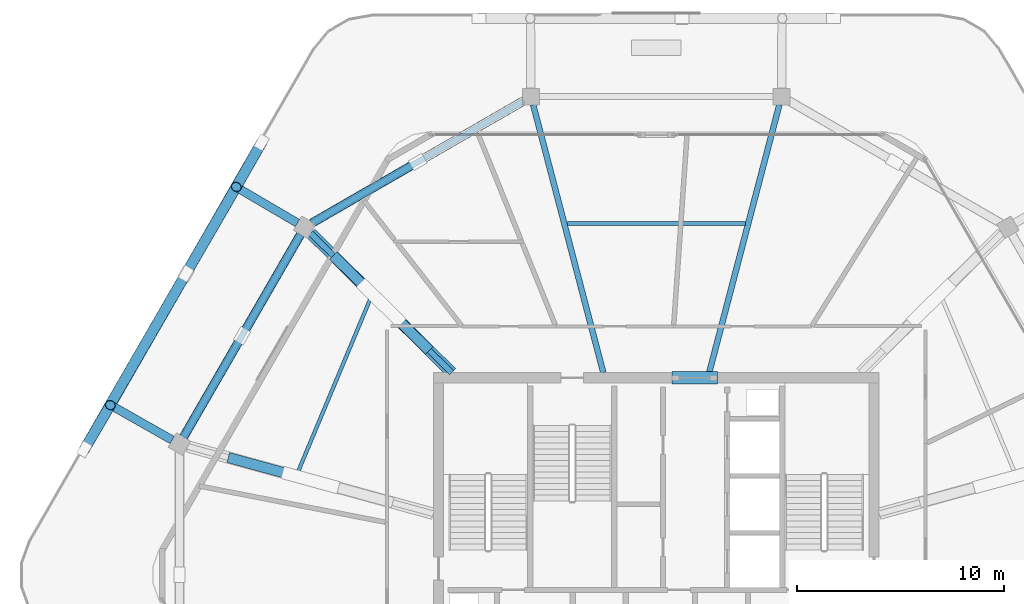
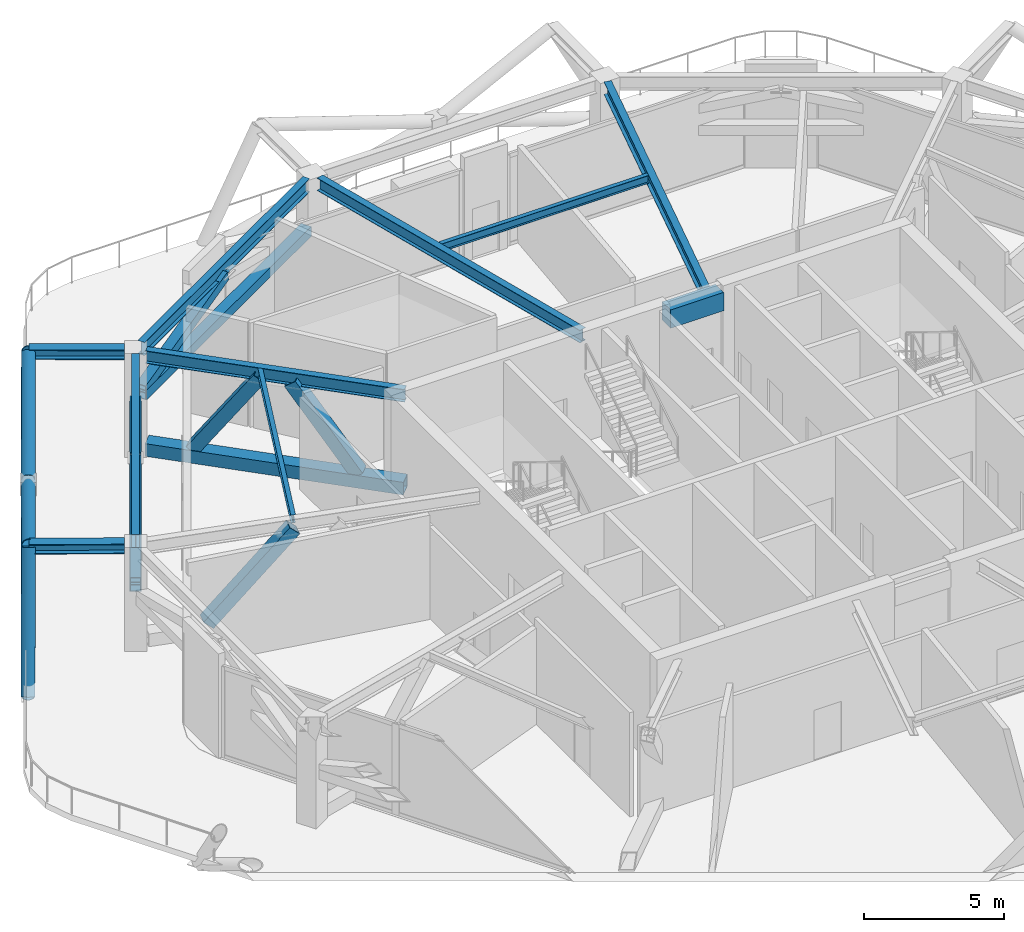
# One storey, part 7 of 19: 14 members, 10 beams.
"""IFC4 building model written with IfcOpenShell, lengths in metres."""

from ifc_helpers import new_model, si_unit, direction, frame, origin, origin_2d, place, context, subcontext, project, spatial, rectangle, hollow_rectangle, hollow_circle, i_section, extrude, material, material_profile, profile_set, type_object, element, save


model = new_model("IFC4")

# Units and contexts
model_context = context("Model", 3, precision=1e-05, world=origin(), true_north=direction((0.0, 1.0)))
body_context = subcontext(model_context, "Body", "Model", "MODEL_VIEW")
ifc_project = project(units=[si_unit("LENGTHUNIT", "METRE"), si_unit("AREAUNIT", "SQUARE_METRE"), si_unit("VOLUMEUNIT", "CUBIC_METRE"), si_unit("PLANEANGLEUNIT", "RADIAN"), si_unit("MASSUNIT", "GRAM", prefix="KILO")], contexts=[model_context])

# Site, building, storey
site_placement = place(None, origin())
site = spatial("IfcSite", under=ifc_project, at=site_placement, CompositionType="ELEMENT")
building_placement = place(site_placement, origin())
building = spatial("IfcBuilding", under=site, at=building_placement, Name="Zuhravey Tower", CompositionType="ELEMENT")
storey_placement = place(building_placement, frame((0.0, 0.0, 303.39990234375)))
storey = spatial("IfcBuildingStorey", under=building, at=storey_placement, Name="L77", CompositionType="ELEMENT", Elevation=303.39990234375)

# Members
ifc_material_1 = material(Name="Steel SM355", Category="steel")
ifc_material_profile_1 = material_profile(ifc_material_1, hollow_rectangle(XDim=0.419921875, YDim=0.419921875, WallThickness=0.028076171875, at=origin_2d()), Name="RHS-420x420x28")
ifc_profile_set_1 = profile_set([ifc_material_profile_1], Name="Steel SM355")
member_type_1 = type_object("IfcMemberType", Name="Belt Truss Chord RHS420x420", PredefinedType="CHORD", material=ifc_profile_set_1)
member_1_placement = place(storey_placement, frame((29.610595703125, 54.861572265625, 2.27001953125), z_axis=(-0.86602323397, -0.500003758211, 0.0), x_axis=(0.500003758211, -0.86602323397, 0.0)))
element("IfcMember", 1, at=member_1_placement, inside=storey, type_object=member_type_1, Name="L77 Belt Truss Bottom Chord BTC1-03", PredefinedType="CHORD", context=body_context, shape_type="SweptSolid", body=[
    extrude(hollow_rectangle(XDim=0.419921875, YDim=0.419921875, WallThickness=0.028076171875, at=origin_2d()), origin(), (0.0, 0.0, 1.0), 11.794921875),
])
member_2_placement = place(storey_placement, frame((18.8427734375, 48.410888671875, 2.27001953125), z_axis=(-0.500007547564, -0.866021046153, 0.0), x_axis=(0.866021046153, -0.500007547564, 0.0)))
element("IfcMember", 2, at=member_2_placement, inside=storey, type_object=member_type_1, Name="L77 Belt Truss Bottom Chord BTC1-04", PredefinedType="CHORD", context=body_context, shape_type="SweptSolid", body=[
    extrude(hollow_rectangle(XDim=0.419921875, YDim=0.419921875, WallThickness=0.028076171875, at=origin_2d()), origin(), (0.0, 0.0, 1.0), 11.267333984375),
])
ifc_material_profile_2 = material_profile(ifc_material_1, hollow_rectangle(XDim=0.39990234375, YDim=0.39990234375, WallThickness=0.02490234375, at=origin_2d()), Name="RHS-400x400x25")
ifc_profile_set_2 = profile_set([ifc_material_profile_2], Name="Steel SM355")
member_type_2 = type_object("IfcMemberType", Name="Belt Truss Diagonal RHS400x400", PredefinedType="BRACE", material=ifc_profile_set_2)
member_3_placement = place(storey_placement, frame((19.40869140625, 48.971435546875, 2.49365234375), z_axis=(0.841292014948, 0.485764057907, 0.237194067445), x_axis=(-0.500033881485, 0.866005841416, 0.0)))
element("IfcMember", 3, at=member_3_placement, inside=storey, type_object=member_type_2, Name="L77 Belt Truss Diagonal BTD1-03.2", PredefinedType="BRACE", context=body_context, shape_type="SweptSolid", body=[
    extrude(hollow_rectangle(XDim=0.39990234375, YDim=0.39990234375, WallThickness=0.02490234375, at=origin_2d()), origin(), (0.0, 0.0, 1.0), 6.030517578125),
])
member_4_placement = place(storey_placement, frame((18.83544921875, 48.3984375, 2.493896484375), z_axis=(-0.484407934139, -0.839068272722, 0.247615401488), x_axis=(0.866038078012, -0.499978046952, 0.0)))
element("IfcMember", 4, at=member_4_placement, inside=storey, type_object=member_type_2, Name="L77 Belt Truss Diagonal BTD1-04.1", PredefinedType="BRACE", context=body_context, shape_type="SweptSolid", body=[
    extrude(hollow_rectangle(XDim=0.39990234375, YDim=0.39990234375, WallThickness=0.02490234375, at=origin_2d()), origin(), (0.0, 0.0, 1.0), 5.77490234375),
])
member_5_placement = place(storey_placement, frame((13.21630859375, 38.665771484375, 2.493896484375), z_axis=(0.484457474073, 0.839038574959, 0.247619113853), x_axis=(-0.866008273759, 0.500029668901, 0.0)))
element("IfcMember", 5, at=member_5_placement, inside=storey, type_object=member_type_2, Name="L77 Belt Truss Diagonal BTD1-04.2", PredefinedType="BRACE", context=body_context, shape_type="SweptSolid", body=[
    extrude(hollow_rectangle(XDim=0.39990234375, YDim=0.39990234375, WallThickness=0.02490234375, at=origin_2d()), origin(), (0.0, 0.0, 1.0), 5.774658203125),
])

# Beams
ifc_material_2 = material(Name="Concrete C50/60", Category="concrete")
ifc_material_profile_3 = material_profile(ifc_material_2, rectangle(XDim=0.60009765625, YDim=0.800048828125, at=origin_2d()), Name="RC-600x800")
ifc_profile_set_3 = profile_set([ifc_material_profile_3], Name="Concrete C50/60")
beam_type_1 = type_object("IfcBeamType", Name="Core Coupling Beam RC600x800", PredefinedType="LINTEL", material=ifc_profile_set_3)
beam_1_placement = place(storey_placement, frame((36.751953125, 41.5, 4.150146484375), z_axis=(1.0, 0.0, 0.0), x_axis=(0.0, 1.0, 0.0)))
element("IfcBeam", 6, at=beam_1_placement, inside=storey, type_object=beam_type_1, Name="L77 CB2 BM-L77-CB-N", PredefinedType="LINTEL", context=body_context, shape_type="SweptSolid", body=[
    extrude(rectangle(XDim=0.60009765625, YDim=0.800048828125, at=origin_2d()), origin(), (0.0, 0.0, 1.0), 2.196044921875),
])
ifc_material_3 = material(Name="Steel SM460", Category="steel")
ifc_material_profile_4 = material_profile(ifc_material_3, i_section(OverallWidth=0.406982421875, OverallDepth=0.427978515625, WebThickness=0.02001953125, FlangeThickness=0.034912109375, at=origin_2d()), Name="H-428x407x20x35")
ifc_profile_set_4 = profile_set([ifc_material_profile_4], Name="Steel SM460")
beam_type_2 = type_object("IfcBeamType", Name="Exoskeleton Node Tie Beam H428x407", PredefinedType="BEAM", material=ifc_profile_set_4)
beam_2_placement = place(storey_placement, frame((18.697021484375, 48.96630859375, 4.336181640625), z_axis=(-0.862248653109, 0.506485202362, 0.0), x_axis=(-0.506485202362, -0.862248653109, 0.0)))
element("IfcBeam", 7, at=beam_2_placement, inside=storey, type_object=beam_type_2, Name="L77 Exoskeleton Node Tie NT1-05", PredefinedType="BEAM", context=body_context, shape_type="SweptSolid", body=[
    extrude(i_section(OverallWidth=0.406982421875, OverallDepth=0.427978515625, WebThickness=0.02001953125, FlangeThickness=0.034912109375, at=origin_2d()), origin(), (0.0, 0.0, 1.0), 3.411376953125),
])
beam_3_placement = place(storey_placement, frame((12.6552734375, 38.501708984375, 4.336181640625), z_axis=(-0.869749848737, 0.493492857722, 0.0), x_axis=(-0.493492857722, -0.869749848737, 0.0)))
element("IfcBeam", 8, at=beam_3_placement, inside=storey, type_object=beam_type_2, Name="L77 Exoskeleton Node Tie NT1-06", PredefinedType="BEAM", context=body_context, shape_type="SweptSolid", body=[
    extrude(i_section(OverallWidth=0.406982421875, OverallDepth=0.427978515625, WebThickness=0.02001953125, FlangeThickness=0.034912109375, at=origin_2d()), origin(), (0.0, 0.0, 1.0), 3.4111328125),
])

# Members
ifc_material_profile_5 = material_profile(ifc_material_1, hollow_circle(Radius=0.25390625, WallThickness=0.02490234375, at=origin_2d()), Name="CHS-508.0x25")
ifc_profile_set_5 = profile_set([ifc_material_profile_5], Name="Steel SM355")
member_type_3 = type_object("IfcMemberType", Name="Exoskeleton Zone 4 Diagrid CHS508x25", PredefinedType="BRACE", material=ifc_profile_set_5)
member_6_placement = place(storey_placement, frame((16.966796875, 52.8515625, -0.477783203125), z_axis=(-0.22615563779, -0.397231945744, 0.88941576823), x_axis=(0.86902805527, -0.494762811004, 0.0)))
element("IfcMember", 9, at=member_6_placement, inside=storey, type_object=member_type_3, Name="L77 Face 3 Diagrid Brace 1", PredefinedType="BRACE", context=body_context, shape_type="SweptSolid", body=[
    extrude(hollow_circle(Radius=0.25390625, WallThickness=0.02490234375, at=origin_2d()), origin(), (0.0, 0.0, 1.0), 5.394287109375),
])
member_7_placement = place(storey_placement, frame((16.946533203125, 52.816650390625, -0.477783203125), z_axis=(-0.473904622429, -0.822787445294, 0.31374389031), x_axis=(0.866541146967, -0.499105640735, 0.0)))
element("IfcMember", 10, at=member_7_placement, inside=storey, type_object=member_type_3, Name="L77 Face 3 Diagrid Brace 2", PredefinedType="BRACE", context=body_context, shape_type="SweptSolid", body=[
    extrude(hollow_circle(Radius=0.25390625, WallThickness=0.02490234375, at=origin_2d()), origin(), (0.0, 0.0, 1.0), 15.292236328125),
])
member_8_placement = place(storey_placement, frame((8.425537109375, 38.0576171875, -0.477783203125), z_axis=(0.230913459097, 0.394435671508, 0.889437729945), x_axis=(-0.862991302955, 0.505218775407, 0.0)))
element("IfcMember", 11, at=member_8_placement, inside=storey, type_object=member_type_3, Name="L77 Face 3 Diagrid Brace 4", PredefinedType="BRACE", context=body_context, shape_type="SweptSolid", body=[
    extrude(hollow_circle(Radius=0.25390625, WallThickness=0.02490234375, at=origin_2d()), origin(), (0.0, 0.0, 1.0), 5.394287109375),
])
member_9_placement = place(storey_placement, frame((8.4462890625, 38.09326171875, -0.481689453125), z_axis=(0.486084626022, 0.840460021155, 0.239475863472), x_axis=(-0.865648382643, 0.500652451934, 0.0)))
element("IfcMember", 12, at=member_9_placement, inside=storey, type_object=member_type_3, Name="L77 Face 3 Split Diagrid Brace 3A", PredefinedType="BRACE", context=body_context, shape_type="SweptSolid", body=[
    extrude(hollow_circle(Radius=0.25390625, WallThickness=0.02490234375, at=origin_2d()), origin(), (0.0, 0.0, 1.0), 9.7890625),
])
member_10_placement = place(storey_placement, frame((13.4326171875, 46.71435546875, 2.0302734375), z_axis=(0.448339992007, 0.773792045123, 0.44747862795), x_axis=(-0.865254048162, 0.501333653508, 0.0)))
element("IfcMember", 13, at=member_10_placement, inside=storey, type_object=member_type_3, Name="L77 Face 3 Split Diagrid Brace 3B", PredefinedType="BRACE", context=body_context, shape_type="SweptSolid", body=[
    extrude(hollow_circle(Radius=0.25390625, WallThickness=0.02490234375, at=origin_2d()), origin(), (0.0, 0.0, 1.0), 5.101806640625),
])
ifc_material_profile_6 = material_profile(ifc_material_3, hollow_rectangle(XDim=0.550048828125, YDim=0.550048828125, WallThickness=0.034912109375, at=origin_2d()), Name="RHS-550x550x35")
ifc_profile_set_6 = profile_set([ifc_material_profile_6], Name="Steel SM460")
member_type_4 = type_object("IfcMemberType", Name="Outrigger Truss Chord RHS550x550", PredefinedType="CHORD", material=ifc_profile_set_6)
member_11_placement = place(storey_placement, frame((26.131103515625, 41.756591796875, 0.320068359375), z_axis=(-0.711136362331, 0.703054104725, 0.0), x_axis=(-0.703054104725, -0.711136362331, 0.0)))
element("IfcMember", 14, at=member_11_placement, inside=storey, type_object=member_type_4, Name="L77 Outrigger Bottom Chord OTC1-03", PredefinedType="CHORD", context=body_context, shape_type="SweptSolid", body=[
    extrude(hollow_rectangle(XDim=0.550048828125, YDim=0.550048828125, WallThickness=0.034912109375, at=origin_2d()), origin(), (0.0, 0.0, 1.0), 9.54541015625),
])
ifc_material_profile_7 = material_profile(ifc_material_3, hollow_rectangle(XDim=0.5, YDim=0.5, WallThickness=0.031982421875, at=origin_2d()), Name="RHS-500x500x32")
ifc_profile_set_7 = profile_set([ifc_material_profile_7], Name="Steel SM460")
member_type_5 = type_object("IfcMemberType", Name="Outrigger Truss Diagonal RHS500x500", PredefinedType="BRACE", material=ifc_profile_set_7)
member_12_placement = place(storey_placement, frame((24.9091796875, 42.964599609375, 0.56005859375), z_axis=(-0.405921296379, 0.401260697734, 0.821107638255), x_axis=(-0.70301228968, -0.711177699706, 0.0)))
element("IfcMember", 15, at=member_12_placement, inside=storey, type_object=member_type_5, Name="L77 Outrigger Diagonal OTD1-03.1", PredefinedType="BRACE", context=body_context, shape_type="SweptSolid", body=[
    extrude(hollow_rectangle(XDim=0.5, YDim=0.5, WallThickness=0.031982421875, at=origin_2d()), origin(), (0.0, 0.0, 1.0), 4.347900390625),
])
member_13_placement = place(storey_placement, frame((20.564697265625, 47.259521484375, 0.56005859375), z_axis=(0.405959047329, -0.401298659925, 0.821070421727), x_axis=(0.70301286089, 0.711177135054, 0.0)))
element("IfcMember", 16, at=member_13_placement, inside=storey, type_object=member_type_5, Name="L77 Outrigger Diagonal OTD1-03.2", PredefinedType="BRACE", context=body_context, shape_type="SweptSolid", body=[
    extrude(hollow_rectangle(XDim=0.5, YDim=0.5, WallThickness=0.031982421875, at=origin_2d()), origin(), (0.0, 0.0, 1.0), 4.34814453125),
])
member_14_placement = place(storey_placement, frame((15.5400390625, 37.60791015625, 0.56005859375), z_axis=(0.642560035892, -0.176092047931, 0.745726619432), x_axis=(0.264302443749, 0.964439846869, 0.0)))
element("IfcMember", 17, at=member_14_placement, inside=storey, type_object=member_type_5, Name="L77 Outrigger Diagonal OTD1-04.2", PredefinedType="BRACE", context=body_context, shape_type="SweptSolid", body=[
    extrude(hollow_rectangle(XDim=0.5, YDim=0.5, WallThickness=0.031982421875, at=origin_2d()), origin(), (0.0, 0.0, 1.0), 4.787353515625),
])

# Beams
ifc_material_profile_8 = material_profile(ifc_material_1, i_section(OverallWidth=0.280029296875, OverallDepth=0.580078125, WebThickness=0.011962890625, FlangeThickness=0.01904296875, at=origin_2d()), Name="H-580x280x12x19")
ifc_profile_set_8 = profile_set([ifc_material_profile_8], Name="Steel SM355")
beam_type_3 = type_object("IfcBeamType", Name="Perimeter Ring Beam H580x280", PredefinedType="BEAM", material=ifc_profile_set_8)
beam_4_placement = place(storey_placement, frame((29.6123046875, 54.862548828125, 4.260009765625), z_axis=(-0.866023977509, -0.500002470373, 0.0), x_axis=(0.500002470373, -0.866023977509, 0.0)))
element("IfcBeam", 18, at=beam_4_placement, inside=storey, type_object=beam_type_3, Name="L77 PB4 BM-L77-PB-04", PredefinedType="BEAM", context=body_context, shape_type="SweptSolid", body=[
    extrude(i_section(OverallWidth=0.280029296875, OverallDepth=0.580078125, WebThickness=0.011962890625, FlangeThickness=0.01904296875, at=origin_2d()), origin(), (0.0, 0.0, 1.0), 11.798828125),
])
beam_5_placement = place(storey_placement, frame((18.84375, 48.41259765625, 4.260009765625), z_axis=(-0.500006198144, -0.866021825255, 0.0), x_axis=(0.866021825255, -0.500006198144, 0.0)))
element("IfcBeam", 19, at=beam_5_placement, inside=storey, type_object=beam_type_3, Name="L77 PB4 BM-L77-PB-05", PredefinedType="BEAM", context=body_context, shape_type="SweptSolid", body=[
    extrude(i_section(OverallWidth=0.280029296875, OverallDepth=0.580078125, WebThickness=0.011962890625, FlangeThickness=0.01904296875, at=origin_2d()), origin(), (0.0, 0.0, 1.0), 11.271240234375),
])
ifc_material_profile_9 = material_profile(ifc_material_1, i_section(OverallWidth=0.280029296875, OverallDepth=0.550048828125, WebThickness=0.010986328125, FlangeThickness=0.01806640625, at=origin_2d()), Name="H-550x280x11x18")
ifc_profile_set_9 = profile_set([ifc_material_profile_9], Name="Steel SM355")
beam_type_4 = type_object("IfcBeamType", Name="Radial Primary Girder H550x280", PredefinedType="BEAM", material=ifc_profile_set_9)
for number, where, z_axis, x_axis, name in (
    (20, (38.553466796875, 41.7529296875, 4.275146484375), (0.253281197106, 0.967392699576, 0.0), (-0.967392699576, 0.253281197106, 0.0), "L77 RG4 BM-L77-RAD-03"),
    (21, (33.446533203125, 41.7529296875, 4.275146484375), (-0.253281197106, 0.967392699576, 0.0), (-0.967392699576, -0.253281197106, 0.0), "L77 RG4 BM-L77-RAD-04"),
):
    element("IfcBeam", number, at=place(storey_placement, frame(where, z_axis=z_axis, x_axis=x_axis)), inside=storey, type_object=beam_type_4, Name=name, PredefinedType="BEAM", context=body_context, shape_type="SweptSolid", body=[
        extrude(i_section(OverallWidth=0.280029296875, OverallDepth=0.550048828125, WebThickness=0.010986328125, FlangeThickness=0.01806640625, at=origin_2d()), origin(), (0.0, 0.0, 1.0), 13.35693359375),
    ])
beam_6_placement = place(storey_placement, frame((26.134765625, 41.7529296875, 4.275146484375), z_axis=(-0.711153035666, 0.703037239314, 0.0), x_axis=(-0.703037239314, -0.711153035666, 0.0)))
element("IfcBeam", 22, at=beam_6_placement, inside=storey, type_object=beam_type_4, Name="L77 RG4 BM-L77-RAD-05", PredefinedType="BEAM", context=body_context, shape_type="SweptSolid", body=[
    extrude(i_section(OverallWidth=0.280029296875, OverallDepth=0.550048828125, WebThickness=0.010986328125, FlangeThickness=0.01806640625, at=origin_2d()), origin(), (0.0, 0.0, 1.0), 9.566162109375),
])
ifc_material_profile_10 = material_profile(ifc_material_1, i_section(OverallWidth=0.175048828125, OverallDepth=0.35009765625, WebThickness=0.007080078125, FlangeThickness=0.010986328125, at=origin_2d()), Name="H-350x175x7x11")
ifc_profile_set_10 = profile_set([ifc_material_profile_10], Name="Steel SM355")
beam_type_5 = type_object("IfcBeamType", Name="Secondary Floor Joist H350x175", PredefinedType="JOIST", material=ifc_profile_set_10)
beam_7_placement = place(storey_placement, frame((40.29150390625, 48.94091796875, 4.375), z_axis=(-1.0, 0.0, 0.0), x_axis=(0.0, -1.0, 0.0)))
element("IfcBeam", 23, at=beam_7_placement, inside=storey, type_object=beam_type_5, Name="L77 SJ3 BM-L77-SJ-03-1", PredefinedType="JOIST", context=body_context, shape_type="SweptSolid", body=[
    extrude(i_section(OverallWidth=0.175048828125, OverallDepth=0.35009765625, WebThickness=0.007080078125, FlangeThickness=0.010986328125, at=origin_2d()), origin(), (0.0, 0.0, 1.0), 8.5830078125),
])
beam_8_placement = place(storey_placement, frame((22.2509765625, 45.40478515625, 4.375), z_axis=(-0.385657891576, -0.922641853953, 0.0), x_axis=(0.922641853953, -0.385657891576, 0.0)))
element("IfcBeam", 24, at=beam_8_placement, inside=storey, type_object=beam_type_5, Name="L77 SJ3 BM-L77-SJ-05-1", PredefinedType="JOIST", context=body_context, shape_type="SweptSolid", body=[
    extrude(i_section(OverallWidth=0.175048828125, OverallDepth=0.35009765625, WebThickness=0.007080078125, FlangeThickness=0.010986328125, at=origin_2d()), origin(), (0.0, 0.0, 1.0), 9.226806640625),
])

save(model, "model.ifc")
